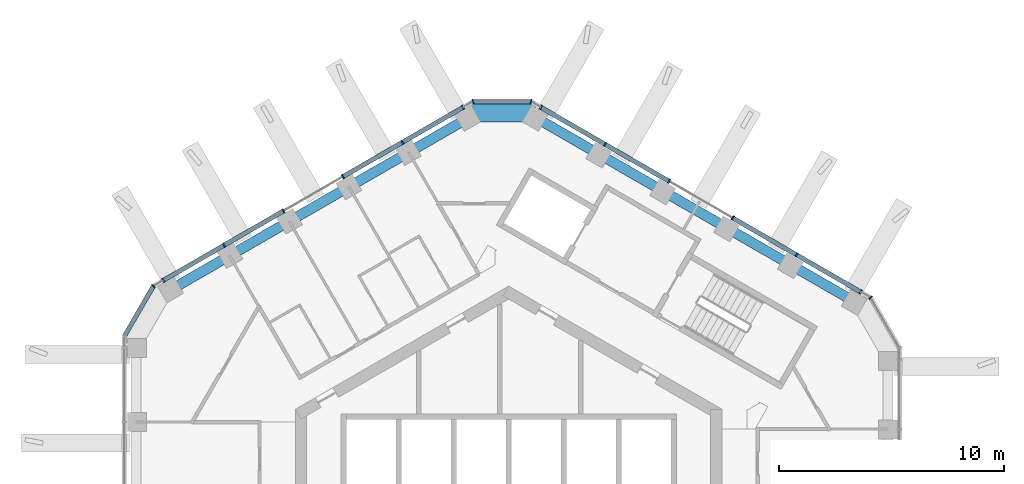
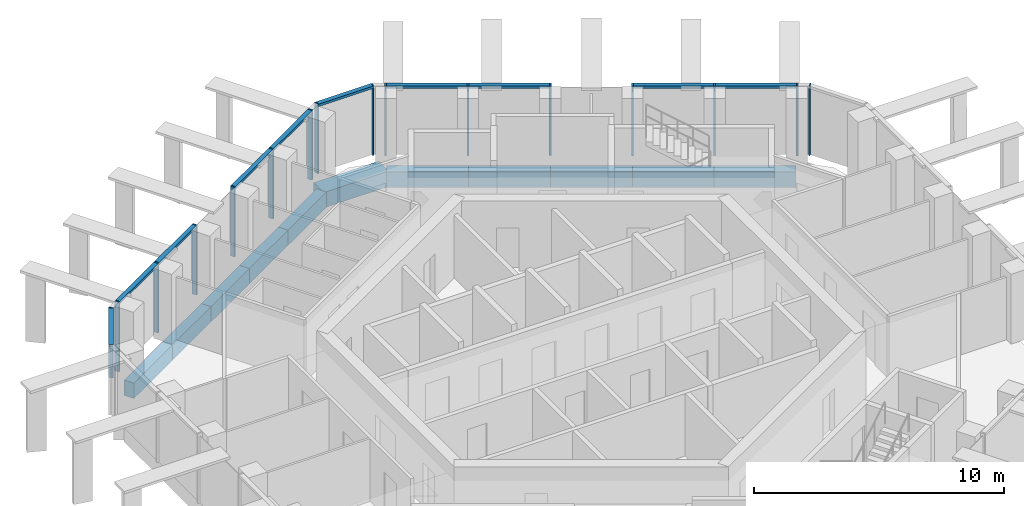
# One storey, part 5 of 19: 22 members, 11 beams, 5 elements without a shape of their own.
"""IFC4 building model written with IfcOpenShell, lengths in metres."""

import ifcopenshell
import ifcopenshell.guid

model = None  # the IFC model being written
_history = None  # IfcOwnerHistory: only IFC2X3 demands one
_inside = {}  # id of a spatial element -> (the spatial element, [elements in it])
_under = {}  # id of a project, library or spatial element -> (it, [spatial elements below it])
_declared = {}  # id of a project -> (the project, [libraries it declares])
_typed = {}  # id of a type object -> (the type object, [elements of that type])
_made_of = {}  # id of a material, layer set ... -> (it, [elements and type objects made of it])


def new_model(schema):
    """Start an empty IFC model of exactly this schema.

    Asked for "IFC4X3", IfcOpenShell would pick the latest addendum, in which some entities
    have other attributes; the version numbers below select the first issue.
    IFC2X3 requires an IfcOwnerHistory on every rooted entity: one is made here for all.
    """
    global model, _history
    if schema == "IFC4X3":
        model = ifcopenshell.file(schema_version=(4, 3, 0, 0))
    else:
        model = ifcopenshell.file(schema=schema)
    _inside.clear()
    _under.clear()
    _declared.clear()
    _typed.clear()
    _made_of.clear()
    _history = None
    if model.schema == "IFC2X3":
        org = make("IfcOrganization", Name="unknown")
        user = make(
            "IfcPersonAndOrganization",
            ThePerson=make("IfcPerson", FamilyName="unknown"),
            TheOrganization=org,
        )
        app = make(
            "IfcApplication",
            ApplicationDeveloper=org,
            Version="unknown",
            ApplicationFullName="unknown",
            ApplicationIdentifier="unknown",
        )
        _history = make(
            "IfcOwnerHistory",
            OwningUser=user,
            OwningApplication=app,
            ChangeAction="ADDED",
            CreationDate=0,
        )
    return model


def make(cls, **values):
    """One entity of the class cls with the attributes given. An attribute that is None is left unset."""
    return model.create_entity(
        cls, **{name: value for name, value in values.items() if value is not None}
    )


def rooted(cls, **values):
    """An entity with a GlobalId (a new one), such as an element, a storey or a relation."""
    return make(cls, GlobalId=ifcopenshell.guid.new(), OwnerHistory=_history, **values)


def si_unit(unit_type, name, prefix=None):
    """IfcSIUnit, for example si_unit("LENGTHUNIT", "METRE", prefix="MILLI")."""
    return make("IfcSIUnit", UnitType=unit_type, Prefix=prefix, Name=name)


def assignment(units):
    """IfcUnitAssignment: the units of a project."""
    return None if units is None else make("IfcUnitAssignment", Units=units)


def point(xyz):
    """IfcCartesianPoint."""
    return None if xyz is None else make("IfcCartesianPoint", Coordinates=xyz)


def direction(xyz):
    """IfcDirection."""
    return None if xyz is None else make("IfcDirection", DirectionRatios=xyz)


def frame(location, z_axis=None, x_axis=None):
    """IfcAxis2Placement3D, a coordinate frame: its origin and axes. An axis left out is left unset."""
    return make(
        "IfcAxis2Placement3D",
        Location=point(location),
        Axis=direction(z_axis),
        RefDirection=direction(x_axis),
    )


def frame_2d(location, x_axis=None):
    """IfcAxis2Placement2D, a coordinate frame in the plane: its origin and x axis."""
    return make(
        "IfcAxis2Placement2D", Location=point(location), RefDirection=direction(x_axis)
    )


def origin():
    """The frame at (0, 0, 0) with its axes left unset."""
    return frame((0.0, 0.0, 0.0))


def origin_2d():
    """The frame at (0, 0) in the plane with its x axis left unset."""
    return frame_2d((0.0, 0.0))


def place(relative_to, where):
    """IfcLocalPlacement: puts the frame where relative to a parent placement (None: the world)."""
    return make(
        "IfcLocalPlacement", PlacementRelTo=relative_to, RelativePlacement=where
    )


def context(
    kind, dimensions, precision=None, world=None, true_north=None, identifier=None
):
    """IfcGeometricRepresentationContext, for example the 3D "Model" context."""
    return make(
        "IfcGeometricRepresentationContext",
        ContextIdentifier=identifier,
        ContextType=kind,
        CoordinateSpaceDimension=dimensions,
        Precision=precision,
        WorldCoordinateSystem=world,
        TrueNorth=true_north,
    )


def subcontext(parent, identifier, kind, view, scale=None):
    """IfcGeometricRepresentationSubContext, for example "Body" below "Model"."""
    return make(
        "IfcGeometricRepresentationSubContext",
        ContextIdentifier=identifier,
        ContextType=kind,
        ParentContext=parent,
        TargetScale=scale,
        TargetView=view,
    )


def project(units=None, contexts=None):
    """IfcProject with its units and contexts."""
    return rooted(
        "IfcProject",
        Name="project",
        RepresentationContexts=contexts,
        UnitsInContext=assignment(units),
    )


def spatial(cls, under=None, at=None, **own):
    """A site, building, storey or space (cls), placed at a placement, below another one or the project."""
    s = rooted(cls, ObjectPlacement=at, **own)
    if under is not None:
        _under.setdefault(under.id(), (under, []))[1].append(s)
    return s


def profile(cls, at=None, kind="AREA", **sizes):
    """A parametric profile (cls). Its sizes go by their IFC names, for example OverallWidth=200.0."""
    return make(cls, ProfileType=kind, Position=at, **sizes)


def rectangle(**sizes):
    """IfcRectangleProfileDef."""
    return profile("IfcRectangleProfileDef", **sizes)


def extrude(swept, where, along, depth):
    """IfcExtrudedAreaSolid: the profile swept, set in the frame where, extruded along a direction by depth."""
    return make(
        "IfcExtrudedAreaSolid",
        SweptArea=swept,
        Position=where,
        ExtrudedDirection=direction(along),
        Depth=depth,
    )


def shape(context_of_items, identifier, shape_type, items):
    """IfcShapeRepresentation: the items that make up one representation, for example the "Body"."""
    return make(
        "IfcShapeRepresentation",
        ContextOfItems=context_of_items,
        RepresentationIdentifier=identifier,
        RepresentationType=shape_type,
        Items=items,
    )


def material(Name=None, Category=None):
    """IfcMaterial."""
    return make("IfcMaterial", Name=Name, Category=Category)


def layer(
    of_material, thickness, ventilated=None, Name=None, Category=None, Priority=None
):
    """IfcMaterialLayer: one layer of a wall or slab, of a material (None: an air gap)."""
    return make(
        "IfcMaterialLayer",
        Material=of_material,
        LayerThickness=thickness,
        IsVentilated=ventilated,
        Name=Name,
        Category=Category,
        Priority=Priority,
    )


def layer_set(layers, Name=None):
    """IfcMaterialLayerSet."""
    return make("IfcMaterialLayerSet", MaterialLayers=layers, LayerSetName=Name)


def material_profile(
    of_material, cross_section, Name=None, Category=None, Priority=None
):
    """IfcMaterialProfile: a cross section and its material."""
    return make(
        "IfcMaterialProfile",
        Name=Name,
        Material=of_material,
        Profile=cross_section,
        Priority=Priority,
        Category=Category,
    )


def profile_set(profiles, Name=None, composite=None):
    """IfcMaterialProfileSet."""
    return make(
        "IfcMaterialProfileSet",
        Name=Name,
        MaterialProfiles=profiles,
        CompositeProfile=composite,
    )


def made_of(thing, what):
    """Note that an element or type object is made of a material, layer set ...; save() writes the relation."""
    if what is not None:
        _made_of.setdefault(what.id(), (what, []))[1].append(thing)
    return thing


def type_object(cls, material=None, **own):
    """A type object (cls), such as IfcWallType, which elements share."""
    return made_of(rooted(cls, **own), material)


def element(
    cls,
    number,
    at=None,
    inside=None,
    cuts=None,
    type_object=None,
    material=None,
    context=None,
    identifier="Body",
    shape_type=None,
    held_by="IfcProductDefinitionShape",
    body=None,
    shapes=None,
    **own,
):
    """One element of the class cls, such as IfcWall. Its Tag is "e" and its number.

    at: its placement. inside: the storey or other place that contains it. cuts: it is an
    opening in that element (IfcRelVoidsElement). A single representation is given by context,
    identifier, shape_type and body (its items); several are given by shapes. held_by: the class
    of the entity that holds the representations. save() writes the other relations.
    """
    e = rooted(cls, Tag="e%d" % number, ObjectPlacement=at, **own)
    if body is not None:
        shapes = [shape(context, identifier, shape_type, body)]
    if shapes is not None:
        e.Representation = make(held_by, Representations=shapes)
    if inside is not None:
        _inside.setdefault(inside.id(), (inside, []))[1].append(e)
    if cuts is not None:
        rooted(
            "IfcRelVoidsElement", RelatingBuildingElement=cuts, RelatedOpeningElement=e
        )
    if type_object is not None:
        _typed.setdefault(type_object.id(), (type_object, []))[1].append(e)
    return made_of(e, material)


def aggregate(whole, parts):
    """IfcRelAggregates: a whole, such as a stair, and the parts it consists of."""
    return rooted("IfcRelAggregates", RelatingObject=whole, RelatedObjects=parts)


def save(model, path):
    """Write the relations noted so far, then the file.

    IfcRelAggregates (storeys below a building ...), IfcRelContainedInSpatialStructure (elements
    in a storey), IfcRelDefinesByType, IfcRelAssociatesMaterial and IfcRelDeclares: one each for
    every whole, place, type object, material and project.
    """
    for whole, parts in _under.values():
        aggregate(whole, parts)
    for where, things in _inside.values():
        rooted(
            "IfcRelContainedInSpatialStructure",
            RelatedElements=things,
            RelatingStructure=where,
        )
    for kind, things in _typed.values():
        rooted("IfcRelDefinesByType", RelatedObjects=things, RelatingType=kind)
    for what, things in _made_of.values():
        rooted("IfcRelAssociatesMaterial", RelatedObjects=things, RelatingMaterial=what)
    for by, libraries in _declared.values():
        rooted("IfcRelDeclares", RelatingContext=by, RelatedDefinitions=libraries)
    model.write(path)


model = new_model("IFC4")

# Units and contexts
model_context = context("Model", 3, precision=1e-05, world=origin(), true_north=direction((0.0, 1.0)))
body_context = subcontext(model_context, "Body", "Model", "MODEL_VIEW")
ifc_project = project(units=[si_unit("LENGTHUNIT", "METRE"), si_unit("AREAUNIT", "SQUARE_METRE"), si_unit("VOLUMEUNIT", "CUBIC_METRE"), si_unit("PLANEANGLEUNIT", "RADIAN"), si_unit("MASSUNIT", "GRAM", prefix="KILO")], contexts=[model_context])

# Site, building, storey
site_placement = place(None, origin())
site = spatial("IfcSite", under=ifc_project, at=site_placement, CompositionType="ELEMENT")
building_placement = place(site_placement, origin())
building = spatial("IfcBuilding", under=site, at=building_placement, Name="Ayvan Gate Tower", CompositionType="ELEMENT")
storey_placement = place(building_placement, frame((0.0, 0.0, 235.89990234375)))
storey = spatial("IfcBuildingStorey", under=building, at=storey_placement, Name="L63", CompositionType="ELEMENT", Elevation=235.89990234375)

# Beams
ifc_material_1 = material(Name="Concrete C40/50", Category="concrete")
ifc_material_profile_1 = material_profile(ifc_material_1, rectangle(XDim=0.800048828125, YDim=0.75, at=origin_2d()), Name="RC 800x750")
ifc_profile_set_1 = profile_set([ifc_material_profile_1], Name="Concrete C40/50")
beam_type_1 = type_object("IfcBeamType", Name="Corner spandrel beam RC 800x750 C40/50", PredefinedType="BEAM", material=ifc_profile_set_1)
beam_1_placement = place(storey_placement, frame((1.2158203125, 18.68994140625, -0.724853515625), z_axis=(-1.0, 0.0, 0.0), x_axis=(0.0, -1.0, 0.0)))
element("IfcBeam", 1, at=beam_1_placement, inside=storey, type_object=beam_type_1, Name="SB-L63-12", PredefinedType="BEAM", context=body_context, shape_type="SweptSolid", body=[
    extrude(rectangle(XDim=0.800048828125, YDim=0.75, at=origin_2d()), origin(), (0.0, 0.0, 1.0), 3.0),
])
ifc_material_profile_2 = material_profile(ifc_material_1, rectangle(XDim=0.449951171875, YDim=0.75, at=origin_2d()), Name="RC 450x750")
ifc_profile_set_2 = profile_set([ifc_material_profile_2], Name="Concrete C40/50")
beam_type_2 = type_object("IfcBeamType", Name="Spandrel beam RC 450x750 C40/50", PredefinedType="BEAM", material=ifc_profile_set_2)
beam_2_placement = place(storey_placement, frame((15.387451171875, 10.2880859375, -0.724853515625), z_axis=(-0.8660402394, 0.49997430308, 0.0), x_axis=(-0.49997430308, -0.8660402394, 0.0)))
element("IfcBeam", 2, at=beam_2_placement, inside=storey, type_object=beam_type_2, Name="SB-L63-7", PredefinedType="BEAM", context=body_context, shape_type="SweptSolid", body=[
    extrude(rectangle(XDim=0.449951171875, YDim=0.75, at=origin_2d()), origin(), (0.0, 0.0, 1.0), 3.272705078125),
])
beam_3_placement = place(storey_placement, frame((12.55322265625, 11.92431640625, -0.724853515625), z_axis=(-0.866026586771, 0.499997951001, 0.0), x_axis=(-0.499997951001, -0.866026586771, 0.0)))
element("IfcBeam", 3, at=beam_3_placement, inside=storey, type_object=beam_type_2, Name="SB-L63-8", PredefinedType="BEAM", context=body_context, shape_type="SweptSolid", body=[
    extrude(rectangle(XDim=0.449951171875, YDim=0.75, at=origin_2d()), origin(), (0.0, 0.0, 1.0), 3.27294921875),
])
for number, where, z_axis, x_axis, name in (
    (4, (9.71875, 13.560791015625, -0.724853515625), (-0.866007936827, 0.500030252438, 0.0), (-0.500030252438, -0.866007936827, 0.0), "SB-L63-9"),
    (5, (6.884521484375, 15.197265625, -0.724853515625), (-0.8660402394, 0.49997430308, 0.0), (-0.49997430308, -0.8660402394, 0.0), "SB-L63-10"),
):
    element("IfcBeam", number, at=place(storey_placement, frame(where, z_axis=z_axis, x_axis=x_axis)), inside=storey, type_object=beam_type_2, Name=name, PredefinedType="BEAM", context=body_context, shape_type="SweptSolid", body=[
        extrude(rectangle(XDim=0.449951171875, YDim=0.75, at=origin_2d()), origin(), (0.0, 0.0, 1.0), 3.272705078125),
    ])
beam_4_placement = place(storey_placement, frame((4.05029296875, 16.83349609375, -0.724853515625), z_axis=(-0.866026586771, 0.499997951001, 0.0), x_axis=(-0.499997951001, -0.866026586771, 0.0)))
element("IfcBeam", 6, at=beam_4_placement, inside=storey, type_object=beam_type_2, Name="SB-L63-11", PredefinedType="BEAM", context=body_context, shape_type="SweptSolid", body=[
    extrude(rectangle(XDim=0.449951171875, YDim=0.75, at=origin_2d()), origin(), (0.0, 0.0, 1.0), 3.27294921875),
])
for number, where, z_axis, x_axis, name in (
    (7, (-1.7841796875, 18.469970703125, -0.724853515625), (-0.866007146345, -0.50003162148, 0.0), (0.50003162148, -0.866007146345, 0.0), "SB-L63-13"),
    (8, (-4.447998046875, 16.931884765625, -0.724853515625), (-0.866041515373, -0.499972092872, 0.0), (0.499972092872, -0.866041515373, 0.0), "SB-L63-14"),
    (9, (-7.11181640625, 15.39404296875, -0.724853515625), (-0.866007146345, -0.50003162148, 0.0), (0.50003162148, -0.866007146345, 0.0), "SB-L63-15"),
    (10, (-9.775634765625, 13.85595703125, -0.724853515625), (-0.866041515373, -0.499972092872, 0.0), (0.499972092872, -0.866041515373, 0.0), "SB-L63-16"),
):
    element("IfcBeam", number, at=place(storey_placement, frame(where, z_axis=z_axis, x_axis=x_axis)), inside=storey, type_object=beam_type_2, Name=name, PredefinedType="BEAM", context=body_context, shape_type="SweptSolid", body=[
        extrude(rectangle(XDim=0.449951171875, YDim=0.75, at=origin_2d()), origin(), (0.0, 0.0, 1.0), 3.075927734375),
    ])
beam_5_placement = place(storey_placement, frame((-12.439453125, 12.318115234375, -0.724853515625), z_axis=(-0.866026989333, -0.499997253739, 0.0), x_axis=(0.499997253739, -0.866026989333, 0.0)))
element("IfcBeam", 11, at=beam_5_placement, inside=storey, type_object=beam_type_2, Name="SB-L63-17", PredefinedType="BEAM", context=body_context, shape_type="SweptSolid", body=[
    extrude(rectangle(XDim=0.449951171875, YDim=0.75, at=origin_2d()), origin(), (0.0, 0.0, 1.0), 3.076171875),
])

# Curtain wall, members
ifc_material_2 = material(Name="Bronze anodised aluminium", Category="aluminium")
ifc_layer_1 = layer(ifc_material_2, 0.199951171875)
ifc_layer_set_1 = layer_set([ifc_layer_1], Name="Bronze anodised aluminium")
curtain_wall_type_1 = type_object("IfcCurtainWallType", Name="Stick curtain wall CW-2", PredefinedType="NOTDEFINED", material=ifc_layer_set_1)
curtain_wall_1_placement = place(storey_placement, origin())
curtain_wall_1 = element("IfcCurtainWall", 12, at=curtain_wall_1_placement, inside=storey, type_object=curtain_wall_type_1, Name="Stick curtain wall CW-2 L63", PredefinedType="NOTDEFINED")
ifc_material_profile_3 = material_profile(ifc_material_2, rectangle(XDim=0.199951171875, YDim=0.070068359375, at=origin_2d()), Name="Stick curtain wall CW-2 mullion 200 x 70")
ifc_profile_set_3 = profile_set([ifc_material_profile_3], Name="Bronze anodised aluminium")
member_type_1 = type_object("IfcMemberType", Name="Stick curtain wall CW-2 mullion 200 x 70", PredefinedType="MULLION", material=ifc_profile_set_3)
member_1_placement = place(storey_placement, frame((-2.02978515625, 18.934326171875, 0.0), z_axis=(0.0, 0.0, 1.0), x_axis=(-0.5, 0.866025403784, 0.0)))
member_1 = element("IfcMember", 13, at=member_1_placement, type_object=member_type_1, Name="CW-2 mullion 1", PredefinedType="MULLION", context=body_context, shape_type="SweptSolid", body=[
    extrude(rectangle(XDim=0.199951171875, YDim=0.070068359375, at=origin_2d()), origin(), (0.0, 0.0, 1.0), 3.400146484375),
])
member_2_placement = place(storey_placement, frame((-4.736083984375, 17.371826171875, 0.0), z_axis=(0.0, 0.0, 1.0), x_axis=(-0.5, 0.866025403784, 0.0)))
member_2 = element("IfcMember", 14, at=member_2_placement, type_object=member_type_1, Name="CW-2 mullion 2", PredefinedType="MULLION", context=body_context, shape_type="SweptSolid", body=[
    extrude(rectangle(XDim=0.199951171875, YDim=0.070068359375, at=origin_2d()), origin(), (0.0, 0.0, 1.0), 3.400146484375),
])
member_3_placement = place(storey_placement, frame((-7.382568359375, 15.843994140625, 0.0), z_axis=(0.0, 0.0, 1.0), x_axis=(-0.5, 0.866025403784, 0.0)))
member_3 = element("IfcMember", 15, at=member_3_placement, type_object=member_type_1, Name="CW-2 mullion 3", PredefinedType="MULLION", context=body_context, shape_type="SweptSolid", body=[
    extrude(rectangle(XDim=0.199951171875, YDim=0.070068359375, at=origin_2d()), origin(), (0.0, 0.0, 1.0), 3.400146484375),
])
member_4_placement = place(storey_placement, frame((-10.030029296875, 14.3154296875, 0.0), z_axis=(0.0, 0.0, 1.0), x_axis=(-0.5, 0.866025403784, 0.0)))
member_4 = element("IfcMember", 16, at=member_4_placement, type_object=member_type_1, Name="CW-2 mullion 4", PredefinedType="MULLION", context=body_context, shape_type="SweptSolid", body=[
    extrude(rectangle(XDim=0.199951171875, YDim=0.070068359375, at=origin_2d()), origin(), (0.0, 0.0, 1.0), 3.400146484375),
])
member_5_placement = place(storey_placement, frame((-12.676513671875, 12.787353515625, 0.0), z_axis=(0.0, 0.0, 1.0), x_axis=(-0.5, 0.866025403784, 0.0)))
member_5 = element("IfcMember", 17, at=member_5_placement, type_object=member_type_1, Name="CW-2 mullion 5", PredefinedType="MULLION", context=body_context, shape_type="SweptSolid", body=[
    extrude(rectangle(XDim=0.199951171875, YDim=0.070068359375, at=origin_2d()), origin(), (0.0, 0.0, 1.0), 3.400146484375),
])
member_6_placement = place(storey_placement, frame((-15.3828125, 11.224853515625, 0.0), z_axis=(0.0, 0.0, 1.0), x_axis=(-0.5, 0.866025403784, 0.0)))
member_6 = element("IfcMember", 18, at=member_6_placement, type_object=member_type_1, Name="CW-2 mullion 6", PredefinedType="MULLION", context=body_context, shape_type="SweptSolid", body=[
    extrude(rectangle(XDim=0.199951171875, YDim=0.070068359375, at=origin_2d()), origin(), (0.0, 0.0, 1.0), 3.400146484375),
])

curtain_wall_2_placement = place(storey_placement, origin())
curtain_wall_2 = element("IfcCurtainWall", 19, at=curtain_wall_2_placement, inside=storey, type_object=curtain_wall_type_1, Name="Stick curtain wall CW-2 L63", PredefinedType="NOTDEFINED")
member_7_placement = place(storey_placement, frame((15.679443359375, 10.7109375, 0.0), z_axis=(0.0, 0.0, 1.0), x_axis=(0.5, 0.866025403784, 0.0)))
member_7 = element("IfcMember", 20, at=member_7_placement, type_object=member_type_1, Name="CW-2 mullion 1", PredefinedType="MULLION", context=body_context, shape_type="SweptSolid", body=[
    extrude(rectangle(XDim=0.199951171875, YDim=0.070068359375, at=origin_2d()), origin(), (0.0, 0.0, 1.0), 3.400146484375),
])
member_8_placement = place(storey_placement, frame((12.82177734375, 12.361083984375, 0.0), z_axis=(0.0, 0.0, 1.0), x_axis=(0.5, 0.866025403784, 0.0)))
member_8 = element("IfcMember", 21, at=member_8_placement, type_object=member_type_1, Name="CW-2 mullion 2", PredefinedType="MULLION", context=body_context, shape_type="SweptSolid", body=[
    extrude(rectangle(XDim=0.199951171875, YDim=0.070068359375, at=origin_2d()), origin(), (0.0, 0.0, 1.0), 3.400146484375),
])
member_9_placement = place(storey_placement, frame((9.979248046875, 14.001953125, 0.0), z_axis=(0.0, 0.0, 1.0), x_axis=(0.5, 0.866025403784, 0.0)))
member_9 = element("IfcMember", 22, at=member_9_placement, type_object=member_type_1, Name="CW-2 mullion 3", PredefinedType="MULLION", context=body_context, shape_type="SweptSolid", body=[
    extrude(rectangle(XDim=0.199951171875, YDim=0.070068359375, at=origin_2d()), origin(), (0.0, 0.0, 1.0), 3.400146484375),
])
member_10_placement = place(storey_placement, frame((7.13623046875, 15.6435546875, 0.0), z_axis=(0.0, 0.0, 1.0), x_axis=(0.5, 0.866025403784, 0.0)))
member_10 = element("IfcMember", 23, at=member_10_placement, type_object=member_type_1, Name="CW-2 mullion 4", PredefinedType="MULLION", context=body_context, shape_type="SweptSolid", body=[
    extrude(rectangle(XDim=0.199951171875, YDim=0.070068359375, at=origin_2d()), origin(), (0.0, 0.0, 1.0), 3.400146484375),
])
member_11_placement = place(storey_placement, frame((4.2939453125, 17.284423828125, 0.0), z_axis=(0.0, 0.0, 1.0), x_axis=(0.5, 0.866025403784, 0.0)))
member_11 = element("IfcMember", 24, at=member_11_placement, type_object=member_type_1, Name="CW-2 mullion 5", PredefinedType="MULLION", context=body_context, shape_type="SweptSolid", body=[
    extrude(rectangle(XDim=0.199951171875, YDim=0.070068359375, at=origin_2d()), origin(), (0.0, 0.0, 1.0), 3.400146484375),
])
member_12_placement = place(storey_placement, frame((1.436279296875, 18.934326171875, 0.0), z_axis=(0.0, 0.0, 1.0), x_axis=(0.5, 0.866025403784, 0.0)))
member_12 = element("IfcMember", 25, at=member_12_placement, type_object=member_type_1, Name="CW-2 mullion 6", PredefinedType="MULLION", context=body_context, shape_type="SweptSolid", body=[
    extrude(rectangle(XDim=0.199951171875, YDim=0.070068359375, at=origin_2d()), origin(), (0.0, 0.0, 1.0), 3.400146484375),
])

# Member
ifc_material_profile_4 = material_profile(ifc_material_2, rectangle(XDim=0.199951171875, YDim=0.1201171875, at=origin_2d()), Name="Stick curtain wall CW-2 transom 200 x 120")
ifc_profile_set_4 = profile_set([ifc_material_profile_4], Name="Bronze anodised aluminium")
member_type_2 = type_object("IfcMemberType", Name="Stick curtain wall CW-2 transom 200 x 120", PredefinedType="USERDEFINED", material=ifc_profile_set_4)
member_13_placement = place(storey_placement, frame((-2.02978515625, 18.934326171875, 3.340087890625), z_axis=(-0.866022190943, -0.500005564763, 0.0), x_axis=(0.500005564763, -0.866022190943, 0.0)))
member_13 = element("IfcMember", 26, at=member_13_placement, type_object=member_type_2, Name="CW-2 transom 1", ObjectType="TRANSOM", PredefinedType="USERDEFINED", context=body_context, shape_type="SweptSolid", body=[
    extrude(rectangle(XDim=0.199951171875, YDim=0.1201171875, at=origin_2d()), origin(), (0.0, 0.0, 1.0), 6.14599609375),
])

member_14_placement = place(storey_placement, frame((-10.060302734375, 14.2978515625, 3.340087890625), z_axis=(-0.866022190943, -0.500005564763, 0.0), x_axis=(0.500005564763, -0.866022190943, 0.0)))
member_14 = element("IfcMember", 27, at=member_14_placement, type_object=member_type_2, Name="CW-2 transom 2", ObjectType="TRANSOM", PredefinedType="USERDEFINED", context=body_context, shape_type="SweptSolid", body=[
    extrude(rectangle(XDim=0.199951171875, YDim=0.1201171875, at=origin_2d()), origin(), (0.0, 0.0, 1.0), 6.14599609375),
])

aggregate(curtain_wall_1, [member_1, member_2, member_3, member_4, member_5, member_6, member_13, member_14])

member_15_placement = place(storey_placement, frame((15.679443359375, 10.7109375, 3.340087890625), z_axis=(-0.866022259828, 0.500005445454, 0.0), x_axis=(-0.500005445454, -0.866022259828, 0.0)))
member_15 = element("IfcMember", 28, at=member_15_placement, type_object=member_type_2, Name="CW-2 transom 1", ObjectType="TRANSOM", PredefinedType="USERDEFINED", context=body_context, shape_type="SweptSolid", body=[
    extrude(rectangle(XDim=0.199951171875, YDim=0.1201171875, at=origin_2d()), origin(), (0.0, 0.0, 1.0), 6.546875),
])

member_16_placement = place(storey_placement, frame((7.10595703125, 15.660888671875, 3.340087890625), z_axis=(-0.866022259828, 0.500005445454, 0.0), x_axis=(-0.500005445454, -0.866022259828, 0.0)))
member_16 = element("IfcMember", 29, at=member_16_placement, type_object=member_type_2, Name="CW-2 transom 2", ObjectType="TRANSOM", PredefinedType="USERDEFINED", context=body_context, shape_type="SweptSolid", body=[
    extrude(rectangle(XDim=0.199951171875, YDim=0.1201171875, at=origin_2d()), origin(), (0.0, 0.0, 1.0), 6.546875),
])

aggregate(curtain_wall_2, [member_7, member_8, member_9, member_10, member_11, member_12, member_15, member_16])

# Curtain wall, member
ifc_layer_2 = layer(ifc_material_2, 0.199951171875)
ifc_layer_set_2 = layer_set([ifc_layer_2], Name="Bronze anodised aluminium")
curtain_wall_type_2 = type_object("IfcCurtainWallType", Name="Stick curtain wall CW-6", PredefinedType="NOTDEFINED", material=ifc_layer_set_2)
curtain_wall_3_placement = place(storey_placement, origin())
curtain_wall_3 = element("IfcCurtainWall", 30, at=curtain_wall_3_placement, inside=storey, type_object=curtain_wall_type_2, Name="Stick curtain wall CW-6 L63", PredefinedType="NOTDEFINED")
ifc_material_profile_5 = material_profile(ifc_material_2, rectangle(XDim=0.199951171875, YDim=0.050048828125, at=origin_2d()), Name="Stick curtain wall CW-6 mullion 200 x 50")
ifc_profile_set_5 = profile_set([ifc_material_profile_5], Name="Bronze anodised aluminium")
member_type_3 = type_object("IfcMemberType", Name="Stick curtain wall CW-6 mullion 200 x 50", PredefinedType="MULLION", material=ifc_profile_set_5)
member_17_placement = place(storey_placement, frame((-15.824462890625, 10.969970703125, 0.0), z_axis=(0.0, 0.0, 1.0), x_axis=(-0.707106781187, 0.707106781187, 0.0)))
member_17 = element("IfcMember", 31, at=member_17_placement, type_object=member_type_3, Name="CW-6 mullion 2", PredefinedType="MULLION", context=body_context, shape_type="SweptSolid", body=[
    extrude(rectangle(XDim=0.199951171875, YDim=0.050048828125, at=origin_2d()), origin(), (0.0, 0.0, 1.0), 3.400146484375),
])

curtain_wall_4_placement = place(storey_placement, origin())
curtain_wall_4 = element("IfcCurtainWall", 32, at=curtain_wall_4_placement, inside=storey, type_object=curtain_wall_type_2, Name="Stick curtain wall CW-6 L63", PredefinedType="NOTDEFINED")
member_18_placement = place(storey_placement, frame((16.12109375, 10.4560546875, 0.0), z_axis=(0.0, 0.0, 1.0), x_axis=(0.707106781187, 0.707106781187, 0.0)))
member_18 = element("IfcMember", 33, at=member_18_placement, type_object=member_type_3, Name="CW-6 mullion 3", PredefinedType="MULLION", context=body_context, shape_type="SweptSolid", body=[
    extrude(rectangle(XDim=0.199951171875, YDim=0.050048828125, at=origin_2d()), origin(), (0.0, 0.0, 1.0), 3.400146484375),
])
aggregate(curtain_wall_4, [member_18])

# Curtain wall, members
curtain_wall_5_placement = place(storey_placement, origin())
curtain_wall_5 = element("IfcCurtainWall", 34, at=curtain_wall_5_placement, inside=storey, type_object=curtain_wall_type_2, Name="Stick curtain wall CW-6 L63", PredefinedType="NOTDEFINED")
member_19_placement = place(storey_placement, frame((0.99462890625, 19.189453125, 0.0), z_axis=(0.0, 0.0, 1.0), x_axis=(0.258819045103, 0.965925826289, 0.0)))
member_19 = element("IfcMember", 35, at=member_19_placement, type_object=member_type_3, Name="CW-6 mullion 2", PredefinedType="MULLION", context=body_context, shape_type="SweptSolid", body=[
    extrude(rectangle(XDim=0.199951171875, YDim=0.050048828125, at=origin_2d()), origin(), (0.0, 0.0, 1.0), 3.400146484375),
])
member_20_placement = place(storey_placement, frame((-1.588134765625, 19.189453125, 0.0), z_axis=(0.0, 0.0, 1.0), x_axis=(-0.258819045103, 0.965925826289, 0.0)))
member_20 = element("IfcMember", 36, at=member_20_placement, type_object=member_type_3, Name="CW-6 mullion 3", PredefinedType="MULLION", context=body_context, shape_type="SweptSolid", body=[
    extrude(rectangle(XDim=0.199951171875, YDim=0.050048828125, at=origin_2d()), origin(), (0.0, 0.0, 1.0), 3.400146484375),
])

# Member
ifc_material_profile_6 = material_profile(ifc_material_2, rectangle(XDim=0.199951171875, YDim=0.1201171875, at=origin_2d()), Name="Stick curtain wall CW-6 transom 200 x 120")
ifc_profile_set_6 = profile_set([ifc_material_profile_6], Name="Bronze anodised aluminium")
member_type_4 = type_object("IfcMemberType", Name="Stick curtain wall CW-6 transom 200 x 120", PredefinedType="USERDEFINED", material=ifc_profile_set_6)
member_21_placement = place(storey_placement, frame((-15.8369140625, 10.9482421875, 3.340087890625), z_axis=(-0.500047902311, -0.865997745606, 0.0), x_axis=(0.865997745606, -0.500047902311, 0.0)))
member_21 = element("IfcMember", 37, at=member_21_placement, type_object=member_type_4, Name="CW-6 transom 2", ObjectType="TRANSOM", PredefinedType="USERDEFINED", context=body_context, shape_type="SweptSolid", body=[
    extrude(rectangle(XDim=0.199951171875, YDim=0.1201171875, at=origin_2d()), origin(), (0.0, 0.0, 1.0), 2.532470703125),
])

aggregate(curtain_wall_3, [member_17, member_21])

member_22_placement = place(storey_placement, frame((0.969482421875, 19.189453125, 3.340087890625), z_axis=(-1.0, 0.0, 0.0), x_axis=(0.0, -1.0, 0.0)))
member_22 = element("IfcMember", 38, at=member_22_placement, type_object=member_type_4, Name="CW-6 transom 2", ObjectType="TRANSOM", PredefinedType="USERDEFINED", context=body_context, shape_type="SweptSolid", body=[
    extrude(rectangle(XDim=0.199951171875, YDim=0.1201171875, at=origin_2d()), origin(), (0.0, 0.0, 1.0), 2.532470703125),
])

aggregate(curtain_wall_5, [member_19, member_20, member_22])

save(model, "model.ifc")
